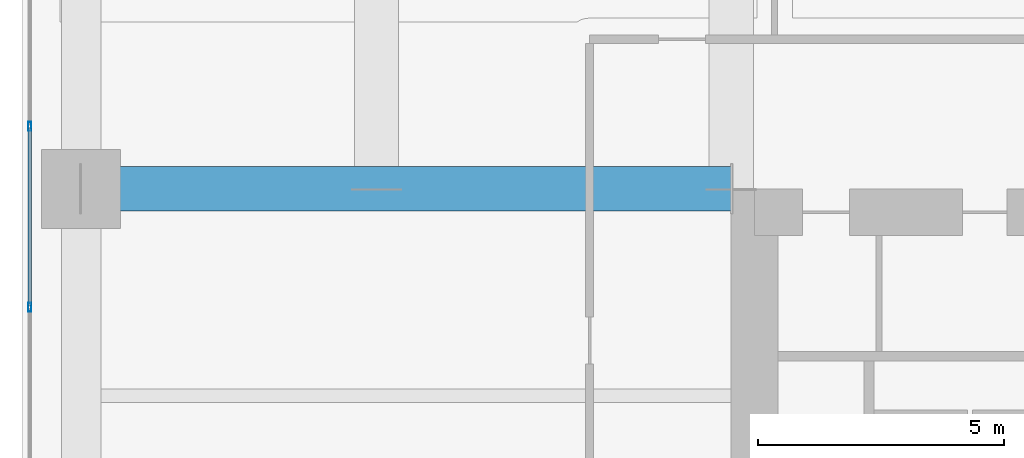
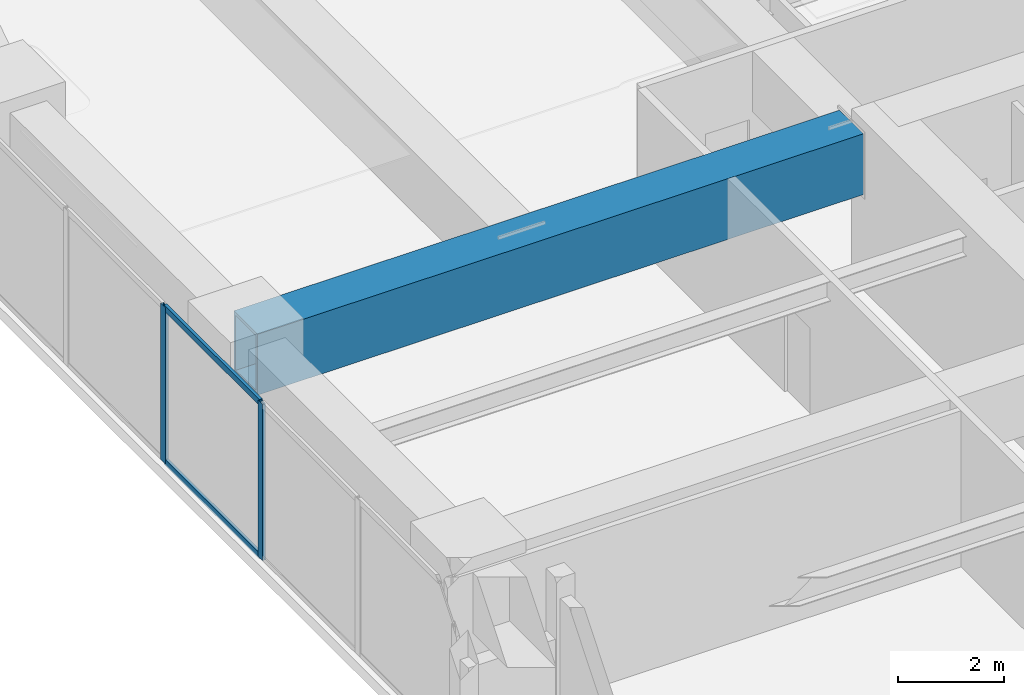
# One storey, part 11 of 28: 4 members, 1 beam, 1 element without a shape of its own.
"""IFC4 building model written with IfcOpenShell, lengths in metres."""

from ifc_helpers import new_model, si_unit, direction, frame, origin, origin_2d, place, context, subcontext, project, spatial, hollow_rectangle, extrude, material, layer, layer_set, material_profile, profile_set, type_object, element, aggregate, save


model = new_model("IFC4")

# Units and contexts
model_context = context("Model", 3, precision=1e-05, world=origin(), true_north=direction((0.0, 1.0)))
body_context = subcontext(model_context, "Body", "Model", "MODEL_VIEW")
ifc_project = project(units=[si_unit("LENGTHUNIT", "METRE"), si_unit("AREAUNIT", "SQUARE_METRE"), si_unit("VOLUMEUNIT", "CUBIC_METRE"), si_unit("PLANEANGLEUNIT", "RADIAN"), si_unit("MASSUNIT", "GRAM", prefix="KILO")], contexts=[model_context])

# Site, building, storey
site_placement = place(None, origin())
site = spatial("IfcSite", under=ifc_project, at=site_placement, CompositionType="ELEMENT")
building_placement = place(site_placement, origin())
building = spatial("IfcBuilding", under=site, at=building_placement, Name="Kiyonajd Concourse Tower", CompositionType="ELEMENT")
storey_placement = place(building_placement, frame((0.0, 0.0, 76.800048828125)))
storey = spatial("IfcBuildingStorey", under=building, at=storey_placement, Name="L20", CompositionType="ELEMENT", Elevation=76.800048828125)

# Beam
ifc_material_1 = material(Name="Steel ASTM A572 Grade 50", Category="steel")
ifc_material_profile_1 = material_profile(ifc_material_1, hollow_rectangle(XDim=0.89990234375, YDim=1.39990234375, WallThickness=0.070068359375, at=origin_2d()), Name="BOX-1400x900x70")
ifc_profile_set_1 = profile_set([ifc_material_profile_1], Name="Steel ASTM A572 Grade 50")
beam_type = type_object("IfcBeamType", Name="BM-XFER-1400", PredefinedType="BEAM", material=ifc_profile_set_1)
beam_placement = place(storey_placement, frame((19.199951171875, 44.39990234375, 2.89990234375), z_axis=(1.0, 0.0, 0.0), x_axis=(0.0, 1.0, 0.0)))
element("IfcBeam", 1, at=beam_placement, inside=storey, type_object=beam_type, Name="L20 West Lease Girder", PredefinedType="BEAM", context=body_context, shape_type="SweptSolid", body=[
    extrude(hollow_rectangle(XDim=0.89990234375, YDim=1.39990234375, WallThickness=0.070068359375, at=origin_2d()), origin(), (0.0, 0.0, 1.0), 13.199951171875),
])

# Curtain wall, members
ifc_material_2 = material(Name="Thermally Broken Anodised Aluminium", Category="aluminium")
ifc_layer = layer(ifc_material_2, 0.179931640625)
ifc_layer_set = layer_set([ifc_layer], Name="Thermally Broken Anodised Aluminium")
curtain_wall_type = type_object("IfcCurtainWallType", Name="CW-SYS-02", PredefinedType="NOTDEFINED", material=ifc_layer_set)
curtain_wall_placement = place(storey_placement, origin())
curtain_wall = element("IfcCurtainWall", 2, at=curtain_wall_placement, inside=storey, type_object=curtain_wall_type, Name="L20 Unitised Curtain Wall CW2", PredefinedType="NOTDEFINED")
ifc_material_profile_2 = material_profile(ifc_material_2, hollow_rectangle(XDim=0.06494140625, YDim=0.179931640625, WallThickness=0.00390625, at=origin_2d()), Name="MULL-65x180")
ifc_profile_set_2 = profile_set([ifc_material_profile_2], Name="Thermally Broken Anodised Aluminium")
member_type_1 = type_object("IfcMemberType", Name="MB-CW-MULL1", PredefinedType="MULLION", material=ifc_profile_set_2)
member_1_placement = place(storey_placement, frame((18.159912109375, 41.996337890625, 0.0), z_axis=(0.0, 0.0, 1.0), x_axis=(-1.0, 0.0, 0.0)))
member_1 = element("IfcMember", 3, at=member_1_placement, type_object=member_type_1, Name="CW2 mullion 3", PredefinedType="MULLION", context=body_context, shape_type="SweptSolid", body=[
    extrude(hollow_rectangle(XDim=0.06494140625, YDim=0.179931640625, WallThickness=0.00390625, at=origin_2d()), origin(), (0.0, 0.0, 1.0), 3.599853515625),
])
member_2_placement = place(storey_placement, frame((18.159912109375, 45.66943359375, 0.0), z_axis=(0.0, 0.0, 1.0), x_axis=(-1.0, 0.0, 0.0)))
member_2 = element("IfcMember", 4, at=member_2_placement, type_object=member_type_1, Name="CW2 mullion 4", PredefinedType="MULLION", context=body_context, shape_type="SweptSolid", body=[
    extrude(hollow_rectangle(XDim=0.06494140625, YDim=0.179931640625, WallThickness=0.00390625, at=origin_2d()), origin(), (0.0, 0.0, 1.0), 3.599853515625),
])
ifc_material_profile_3 = material_profile(ifc_material_2, hollow_rectangle(XDim=0.06494140625, YDim=0.139892578125, WallThickness=0.00390625, at=origin_2d()), Name="TRAN-65x140")
ifc_profile_set_3 = profile_set([ifc_material_profile_3], Name="Thermally Broken Anodised Aluminium")
member_type_2 = type_object("IfcMemberType", Name="MB-CW-TRAN1", PredefinedType="USERDEFINED", material=ifc_profile_set_3)
member_3_placement = place(storey_placement, frame((18.159912109375, 42.02880859375, 0.032470703125), z_axis=(0.0, 1.0, 0.0), x_axis=(-1.0, 0.0, 0.0)))
member_3 = element("IfcMember", 5, at=member_3_placement, type_object=member_type_2, Name="CW2 transom 3.1", ObjectType="TRANSOM", PredefinedType="USERDEFINED", context=body_context, shape_type="SweptSolid", body=[
    extrude(hollow_rectangle(XDim=0.06494140625, YDim=0.139892578125, WallThickness=0.00390625, at=origin_2d()), origin(), (0.0, 0.0, 1.0), 3.608154296875),
])
member_4_placement = place(storey_placement, frame((18.159912109375, 42.02880859375, 3.5673828125), z_axis=(0.0, 1.0, 0.0), x_axis=(-1.0, 0.0, 0.0)))
member_4 = element("IfcMember", 6, at=member_4_placement, type_object=member_type_2, Name="CW2 transom 3.2", ObjectType="TRANSOM", PredefinedType="USERDEFINED", context=body_context, shape_type="SweptSolid", body=[
    extrude(hollow_rectangle(XDim=0.06494140625, YDim=0.139892578125, WallThickness=0.00390625, at=origin_2d()), origin(), (0.0, 0.0, 1.0), 3.608154296875),
])
aggregate(curtain_wall, [member_1, member_2, member_3, member_4])

save(model, "model.ifc")
